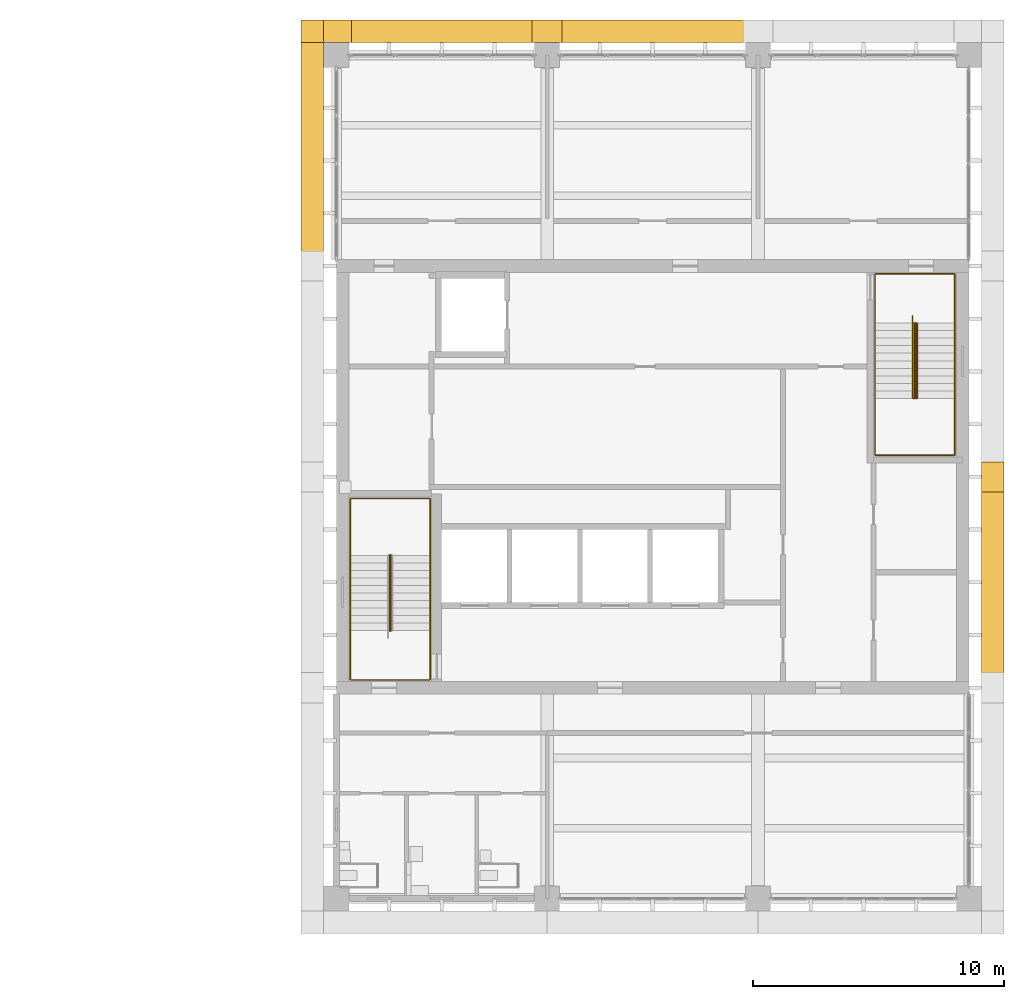
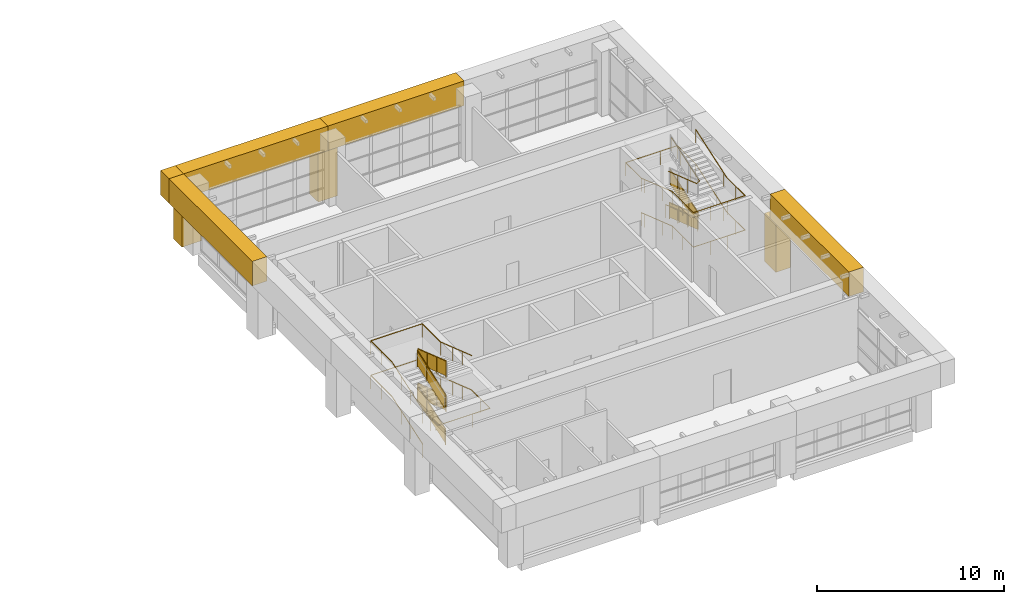
# One storey, part 52 of 56: 9 railings, 8 coverings.
"""IFC4 building model written with IfcOpenShell, lengths in metres."""

from ifc_helpers import new_model, si_unit, direction, frame, origin, origin_2d, place, context, subcontext, project, spatial, polyline, rectangle, circle, outline, extrude, material, type_object, element, save


model = new_model("IFC4")

# Units and contexts
model_context = context("Model", 3, precision=1e-05, world=origin(), true_north=direction((0.0, 1.0)))
body_context = subcontext(model_context, "Body", "Model", "MODEL_VIEW")
ifc_project = project(units=[si_unit("LENGTHUNIT", "METRE"), si_unit("AREAUNIT", "SQUARE_METRE"), si_unit("VOLUMEUNIT", "CUBIC_METRE"), si_unit("PLANEANGLEUNIT", "RADIAN"), si_unit("MASSUNIT", "GRAM", prefix="KILO")], contexts=[model_context])

# Site, building, storey
site_placement = place(None, origin())
site = spatial("IfcSite", under=ifc_project, at=site_placement, CompositionType="ELEMENT")
building_placement = place(site_placement, origin())
building = spatial("IfcBuilding", under=site, at=building_placement, Name="Rulbaag Community and Learning Centre", CompositionType="ELEMENT")
storey_placement = place(building_placement, frame((0.0, 0.0, 9.89990234375)))
storey = spatial("IfcBuildingStorey", under=building, at=storey_placement, Name="L02", CompositionType="ELEMENT", Elevation=9.89990234375)

# Coverings
ifc_material_1 = material(Name="Concrete M40", Category="concrete")
covering_type_1 = type_object("IfcCoveringType", Name="DB-1", PredefinedType="CLADDING", material=ifc_material_1)
covering_1_placement = place(storey_placement, frame((146.75, 118.550048828125, 2.900146484375), z_axis=(0.0, 0.0, 1.0), x_axis=(1.0, 0.0, 0.0)))
element("IfcCovering", 1, at=covering_1_placement, inside=storey, type_object=covering_type_1, Name="Datum band", PredefinedType="CLADDING", context=body_context, shape_type="SweptSolid", body=[
    extrude(rectangle(XDim=8.89990234375, YDim=0.89990234375, at=origin_2d()), origin(), (0.0, 0.0, 1.0), 1.60009765625),
])
covering_2_placement = place(storey_placement, frame((155.39990234375, 118.550048828125, 2.900146484375), z_axis=(0.0, 0.0, 1.0), x_axis=(1.0, 0.0, 0.0)))
element("IfcCovering", 2, at=covering_2_placement, inside=storey, type_object=covering_type_1, Name="Datum band", PredefinedType="CLADDING", context=body_context, shape_type="SweptSolid", body=[
    extrude(rectangle(XDim=8.39990234375, YDim=0.89990234375, at=origin_2d()), origin(), (0.0, 0.0, 1.0), 1.60009765625),
])
covering_3_placement = place(storey_placement, frame((141.85009765625, 113.64990234375, 2.900146484375), z_axis=(0.0, 0.0, 1.0), x_axis=(1.0, 0.0, 0.0)))
element("IfcCovering", 3, at=covering_3_placement, inside=storey, type_object=covering_type_1, Name="Datum band", PredefinedType="CLADDING", context=body_context, shape_type="SweptSolid", body=[
    extrude(rectangle(XDim=0.89990234375, YDim=8.89990234375, at=origin_2d()), origin(), (0.0, 0.0, 1.0), 1.60009765625),
])
covering_4_placement = place(storey_placement, frame((168.949951171875, 96.60009765625, 2.900146484375), z_axis=(0.0, 0.0, 1.0), x_axis=(1.0, 0.0, 0.0)))
element("IfcCovering", 4, at=covering_4_placement, inside=storey, type_object=covering_type_1, Name="Datum band", PredefinedType="CLADDING", context=body_context, shape_type="SweptSolid", body=[
    extrude(rectangle(XDim=0.89990234375, YDim=8.39990234375, at=origin_2d()), origin(), (0.0, 0.0, 1.0), 1.60009765625),
])
covering_5_placement = place(storey_placement, frame((141.85009765625, 118.550048828125, 2.900146484375), z_axis=(0.0, 0.0, 1.0), x_axis=(1.0, 0.0, 0.0)))
element("IfcCovering", 5, at=covering_5_placement, inside=storey, type_object=covering_type_1, Name="Datum band corner", PredefinedType="CLADDING", context=body_context, shape_type="SweptSolid", body=[
    extrude(rectangle(XDim=0.89990234375, YDim=0.89990234375, at=origin_2d()), origin(), (0.0, 0.0, 1.0), 1.60009765625),
])

# Railings
ifc_material_2 = material(Name="Galvanised mild steel", Category="steel")
railing_type_1 = type_object("IfcRailingType", Name="GR-1100 GUARD 1100", PredefinedType="GUARDRAIL", material=ifc_material_2)
railing_1_placement = place(storey_placement, frame((144.929931640625, 94.675048828125, 0.102294921875)))
element("IfcRailing", 6, at=railing_1_placement, inside=storey, type_object=railing_type_1, Name="Guard ST1 L02 G", PredefinedType="GUARDRAIL", context=body_context, shape_type="SweptSolid", body=[
    extrude(circle(Radius=0.02490234375, at=origin_2d()), frame((0.0, 0.0, 1.0751953125), z_axis=(0.0, 0.946512326817, 0.322667654381), x_axis=(-1.0, 0.0, 0.0)), (0.0, 0.0, 1.0), 3.16943359375),
    extrude(circle(Radius=0.02001953125, at=origin_2d()), origin(), (0.0, 0.0, 1.0), 1.050048828125),
    extrude(circle(Radius=0.02001953125, at=origin_2d()), frame((0.0, 1.0, 0.3408203125)), (0.0, 0.0, 1.0), 1.050048828125),
    extrude(circle(Radius=0.02001953125, at=origin_2d()), frame((0.0, 2.0, 0.681884765625)), (0.0, 0.0, 1.0), 1.050048828125),
    extrude(circle(Radius=0.02001953125, at=origin_2d()), frame((0.0, 3.0, 1.022705078125)), (0.0, 0.0, 1.0), 1.050048828125),
    extrude(outline(polyline([(0.0, 0.0), (3.0, 1.022705078125), (3.0, 1.97265625), (0.0, 0.949951171875), (0.0, 0.0)])), frame((-0.0048828125, 0.0, 0.10009765625), z_axis=(1.0, 0.0, 0.0), x_axis=(0.0, 1.0, 0.0)), (0.0, 0.0, 1.0), 0.010009765625),
])
railing_2_placement = place(storey_placement, frame((144.969970703125, 97.675048828125, 1.227294921875)))
element("IfcRailing", 7, at=railing_2_placement, inside=storey, type_object=railing_type_1, Name="Guard ST1 L02 G2", PredefinedType="GUARDRAIL", context=body_context, shape_type="SweptSolid", body=[
    extrude(circle(Radius=0.02490234375, at=origin_2d()), frame((0.0, 0.0, 1.0751953125), z_axis=(0.0, -0.946512326817, 0.322667654381), x_axis=(1.0, 0.0, 0.0)), (0.0, 0.0, 1.0), 3.16943359375),
    extrude(circle(Radius=0.02001953125, at=origin_2d()), origin(), (0.0, 0.0, 1.0), 1.050048828125),
    extrude(circle(Radius=0.02001953125, at=origin_2d()), frame((0.0, -1.0, 0.3408203125)), (0.0, 0.0, 1.0), 1.050048828125),
    extrude(circle(Radius=0.02001953125, at=origin_2d()), frame((0.0, -2.0, 0.681884765625)), (0.0, 0.0, 1.0), 1.050048828125),
    extrude(circle(Radius=0.02001953125, at=origin_2d()), frame((0.0, -3.0, 1.022705078125)), (0.0, 0.0, 1.0), 1.050048828125),
    extrude(outline(polyline([(0.0, 0.0), (3.0, 1.022705078125), (3.0, 1.97265625), (0.0, 0.949951171875), (0.0, 0.0)])), frame((0.0048828125, 0.0, 0.10009765625), z_axis=(-1.0, 0.0, 0.0), x_axis=(0.0, -1.0, 0.0)), (0.0, 0.0, 1.0), 0.010009765625),
])
railing_3_placement = place(storey_placement, frame((144.929931640625, 94.675048828125, 2.352294921875)))
element("IfcRailing", 8, at=railing_3_placement, inside=storey, type_object=railing_type_1, Name="Guard ST1 L02 G3", PredefinedType="GUARDRAIL", context=body_context, shape_type="SweptSolid", body=[
    extrude(circle(Radius=0.02490234375, at=origin_2d()), frame((0.0, 0.0, 1.0751953125), z_axis=(0.0, 0.946512326817, 0.322667654381), x_axis=(-1.0, 0.0, 0.0)), (0.0, 0.0, 1.0), 3.16943359375),
    extrude(circle(Radius=0.02001953125, at=origin_2d()), origin(), (0.0, 0.0, 1.0), 1.050048828125),
    extrude(circle(Radius=0.02001953125, at=origin_2d()), frame((0.0, 1.0, 0.3408203125)), (0.0, 0.0, 1.0), 1.050048828125),
    extrude(circle(Radius=0.02001953125, at=origin_2d()), frame((0.0, 2.0, 0.681884765625)), (0.0, 0.0, 1.0), 1.050048828125),
    extrude(circle(Radius=0.02001953125, at=origin_2d()), frame((0.0, 3.0, 1.022705078125)), (0.0, 0.0, 1.0), 1.050048828125),
    extrude(outline(polyline([(0.0, 0.0), (3.0, 1.022705078125), (3.0, 1.97265625), (0.0, 0.949951171875), (0.0, 0.0)])), frame((-0.0048828125, 0.0, 0.10009765625), z_axis=(1.0, 0.0, 0.0), x_axis=(0.0, 1.0, 0.0)), (0.0, 0.0, 1.0), 0.010009765625),
])
for number, where, name in (
    (9, (144.969970703125, 97.675048828125, 3.477294921875), "Guard ST1 L02 G4"),
    (10, (165.830078125, 106.925048828125, 0.102294921875), "Guard ST2 L02 G"),
):
    element("IfcRailing", number, at=place(storey_placement, frame(where)), inside=storey, type_object=railing_type_1, Name=name, PredefinedType="GUARDRAIL", context=body_context, shape_type="SweptSolid", body=[
        extrude(circle(Radius=0.02490234375, at=origin_2d()), frame((0.0, 0.0, 1.0751953125), z_axis=(0.0, -0.946512326817, 0.322667654381), x_axis=(1.0, 0.0, 0.0)), (0.0, 0.0, 1.0), 3.16943359375),
        extrude(circle(Radius=0.02001953125, at=origin_2d()), origin(), (0.0, 0.0, 1.0), 1.050048828125),
        extrude(circle(Radius=0.02001953125, at=origin_2d()), frame((0.0, -1.0, 0.3408203125)), (0.0, 0.0, 1.0), 1.050048828125),
        extrude(circle(Radius=0.02001953125, at=origin_2d()), frame((0.0, -2.0, 0.681884765625)), (0.0, 0.0, 1.0), 1.050048828125),
        extrude(circle(Radius=0.02001953125, at=origin_2d()), frame((0.0, -3.0, 1.022705078125)), (0.0, 0.0, 1.0), 1.050048828125),
        extrude(outline(polyline([(0.0, 0.0), (3.0, 1.022705078125), (3.0, 1.97265625), (0.0, 0.949951171875), (0.0, 0.0)])), frame((0.0048828125, 0.0, 0.10009765625), z_axis=(-1.0, 0.0, 0.0), x_axis=(0.0, -1.0, 0.0)), (0.0, 0.0, 1.0), 0.010009765625),
    ])
railing_4_placement = place(storey_placement, frame((165.8701171875, 103.925048828125, 1.227294921875)))
element("IfcRailing", 11, at=railing_4_placement, inside=storey, type_object=railing_type_1, Name="Guard ST2 L02 G2", PredefinedType="GUARDRAIL", context=body_context, shape_type="SweptSolid", body=[
    extrude(circle(Radius=0.02490234375, at=origin_2d()), frame((0.0, 0.0, 1.0751953125), z_axis=(0.0, 0.946512326817, 0.322667654381), x_axis=(-1.0, 0.0, 0.0)), (0.0, 0.0, 1.0), 3.16943359375),
    extrude(circle(Radius=0.02001953125, at=origin_2d()), origin(), (0.0, 0.0, 1.0), 1.050048828125),
    extrude(circle(Radius=0.02001953125, at=origin_2d()), frame((0.0, 1.0, 0.3408203125)), (0.0, 0.0, 1.0), 1.050048828125),
    extrude(circle(Radius=0.02001953125, at=origin_2d()), frame((0.0, 2.0, 0.681884765625)), (0.0, 0.0, 1.0), 1.050048828125),
    extrude(circle(Radius=0.02001953125, at=origin_2d()), frame((0.0, 3.0, 1.022705078125)), (0.0, 0.0, 1.0), 1.050048828125),
    extrude(outline(polyline([(0.0, 0.0), (3.0, 1.022705078125), (3.0, 1.97265625), (0.0, 0.949951171875), (0.0, 0.0)])), frame((-0.0048828125, 0.0, 0.10009765625), z_axis=(1.0, 0.0, 0.0), x_axis=(0.0, 1.0, 0.0)), (0.0, 0.0, 1.0), 0.010009765625),
])
ifc_material_3 = material(Name="Stainless steel grade 316", Category="steel")
railing_type_2 = type_object("IfcRailingType", Name="HR-900 HANDRAIL 900", PredefinedType="HANDRAIL", material=ifc_material_3)
railing_5_placement = place(storey_placement, frame((143.360107421875, 94.375, 0.0)))
element("IfcRailing", 12, at=railing_5_placement, inside=storey, type_object=railing_type_2, Name="Handrail ST1 L02 O", PredefinedType="HANDRAIL", context=body_context, shape_type="SweptSolid", body=[
    extrude(circle(Radius=0.024169921875, at=origin_2d()), frame((0.0, 0.0, 0.875732421875), z_axis=(0.0, 0.946504842313, 0.322689608567), x_axis=(-1.0, 0.0, 0.0)), (0.0, 0.0, 1.0), 0.31689453125),
    extrude(circle(Radius=0.024169921875, at=origin_2d()), frame((0.0, 0.300048828125, 0.97802734375), z_axis=(0.0, 0.946512326817, 0.322667654381), x_axis=(-1.0, 0.0, 0.0)), (0.0, 0.0, 1.0), 3.16943359375),
    extrude(circle(Radius=0.024169921875, at=origin_2d()), frame((0.0, 3.300048828125, 2.000732421875), z_axis=(0.0, 1.0, 0.0), x_axis=(-1.0, 0.0, 0.0)), (0.0, 0.0, 1.0), 2.264892578125),
    extrude(circle(Radius=0.024169921875, at=origin_2d()), frame((0.0, 5.56494140625, 2.000732421875), z_axis=(1.0, 0.0, 0.0), x_axis=(0.0, 1.0, 0.0)), (0.0, 0.0, 1.0), 3.179931640625),
    extrude(circle(Radius=0.024169921875, at=origin_2d()), frame((3.179931640625, 5.56494140625, 2.000732421875), z_axis=(0.0, -1.0, 0.0), x_axis=(1.0, 0.0, 0.0)), (0.0, 0.0, 1.0), 1.96484375),
    extrude(circle(Radius=0.024169921875, at=origin_2d()), frame((3.179931640625, 3.60009765625, 2.000732421875), z_axis=(0.0, -0.946504842313, 0.322689608567), x_axis=(1.0, 0.0, 0.0)), (0.0, 0.0, 1.0), 0.31689453125),
    extrude(circle(Radius=0.024169921875, at=origin_2d()), frame((3.179931640625, 3.300048828125, 2.10302734375), z_axis=(0.0, -0.946512326817, 0.322667654381), x_axis=(1.0, 0.0, 0.0)), (0.0, 0.0, 1.0), 3.16943359375),
    extrude(circle(Radius=0.024169921875, at=origin_2d()), frame((3.179931640625, 0.300048828125, 3.125732421875), z_axis=(0.0, -1.0, 0.0), x_axis=(1.0, 0.0, 0.0)), (0.0, 0.0, 1.0), 1.965087890625),
    extrude(circle(Radius=0.024169921875, at=origin_2d()), frame((3.179931640625, -1.6650390625, 3.125732421875), z_axis=(-1.0, 0.0, 0.0), x_axis=(0.0, -1.0, 0.0)), (0.0, 0.0, 1.0), 3.179931640625),
    extrude(circle(Radius=0.024169921875, at=origin_2d()), frame((0.0, -1.6650390625, 3.125732421875), z_axis=(0.0, 1.0, 0.0), x_axis=(-1.0, 0.0, 0.0)), (0.0, 0.0, 1.0), 1.6650390625),
    extrude(circle(Radius=0.024169921875, at=origin_2d()), frame((0.0, 0.0, 3.125732421875), z_axis=(0.0, 0.946504842313, 0.322689608567), x_axis=(-1.0, 0.0, 0.0)), (0.0, 0.0, 1.0), 0.31689453125),
    extrude(circle(Radius=0.024169921875, at=origin_2d()), frame((0.0, 0.300048828125, 3.22802734375), z_axis=(0.0, 0.946512326817, 0.322667654381), x_axis=(-1.0, 0.0, 0.0)), (0.0, 0.0, 1.0), 3.16943359375),
    extrude(circle(Radius=0.024169921875, at=origin_2d()), frame((0.0, 3.300048828125, 4.250732421875), z_axis=(0.0, 1.0, 0.0), x_axis=(-1.0, 0.0, 0.0)), (0.0, 0.0, 1.0), 2.264892578125),
    extrude(circle(Radius=0.024169921875, at=origin_2d()), frame((0.0, 5.56494140625, 4.250732421875), z_axis=(1.0, 0.0, 0.0), x_axis=(0.0, 1.0, 0.0)), (0.0, 0.0, 1.0), 3.179931640625),
    extrude(circle(Radius=0.024169921875, at=origin_2d()), frame((3.179931640625, 5.56494140625, 4.250732421875), z_axis=(0.0, -1.0, 0.0), x_axis=(1.0, 0.0, 0.0)), (0.0, 0.0, 1.0), 1.96484375),
    extrude(circle(Radius=0.024169921875, at=origin_2d()), frame((3.179931640625, 3.60009765625, 4.250732421875), z_axis=(0.0, -0.946504842313, 0.322689608567), x_axis=(1.0, 0.0, 0.0)), (0.0, 0.0, 1.0), 0.31689453125),
    extrude(circle(Radius=0.024169921875, at=origin_2d()), frame((3.179931640625, 3.300048828125, 4.35302734375), z_axis=(0.0, -0.946512326817, 0.322667654381), x_axis=(1.0, 0.0, 0.0)), (0.0, 0.0, 1.0), 3.16943359375),
    extrude(circle(Radius=0.008056640625, at=origin_2d()), origin(), (0.0, 0.0, 1.0), 0.8515625),
    extrude(circle(Radius=0.008056640625, at=origin_2d()), frame((0.0, 0.300048828125, 0.102294921875)), (0.0, 0.0, 1.0), 0.8515625),
    extrude(circle(Radius=0.008056640625, at=origin_2d()), frame((0.0, 1.300048828125, 0.443115234375)), (0.0, 0.0, 1.0), 0.8515625),
    extrude(circle(Radius=0.008056640625, at=origin_2d()), frame((0.0, 2.300048828125, 0.7841796875)), (0.0, 0.0, 1.0), 0.8515625),
    extrude(circle(Radius=0.008056640625, at=origin_2d()), frame((0.0, 3.300048828125, 1.125)), (0.0, 0.0, 1.0), 0.8515625),
    extrude(circle(Radius=0.008056640625, at=origin_2d()), frame((0.0, 4.4326171875, 1.125)), (0.0, 0.0, 1.0), 0.8515625),
    extrude(circle(Radius=0.008056640625, at=origin_2d()), frame((0.0, 5.56494140625, 1.125)), (0.0, 0.0, 1.0), 0.8515625),
    extrude(circle(Radius=0.008056640625, at=origin_2d()), frame((1.06005859375, 5.56494140625, 1.125)), (0.0, 0.0, 1.0), 0.8515625),
    extrude(circle(Radius=0.008056640625, at=origin_2d()), frame((2.119873046875, 5.56494140625, 1.125)), (0.0, 0.0, 1.0), 0.8515625),
    extrude(circle(Radius=0.008056640625, at=origin_2d()), frame((3.179931640625, 5.56494140625, 1.125)), (0.0, 0.0, 1.0), 0.8515625),
    extrude(circle(Radius=0.008056640625, at=origin_2d()), frame((3.179931640625, 4.58251953125, 1.125)), (0.0, 0.0, 1.0), 0.8515625),
    extrude(circle(Radius=0.008056640625, at=origin_2d()), frame((3.179931640625, 3.60009765625, 1.125)), (0.0, 0.0, 1.0), 0.8515625),
    extrude(circle(Radius=0.008056640625, at=origin_2d()), frame((3.179931640625, 3.300048828125, 1.227294921875)), (0.0, 0.0, 1.0), 0.8515625),
    extrude(circle(Radius=0.008056640625, at=origin_2d()), frame((3.179931640625, 2.300048828125, 1.568115234375)), (0.0, 0.0, 1.0), 0.8515625),
    extrude(circle(Radius=0.008056640625, at=origin_2d()), frame((3.179931640625, 1.300048828125, 1.9091796875)), (0.0, 0.0, 1.0), 0.8515625),
    extrude(circle(Radius=0.008056640625, at=origin_2d()), frame((3.179931640625, 0.300048828125, 2.25)), (0.0, 0.0, 1.0), 0.8515625),
    extrude(circle(Radius=0.008056640625, at=origin_2d()), frame((3.179931640625, -0.6826171875, 2.25)), (0.0, 0.0, 1.0), 0.8515625),
    extrude(circle(Radius=0.008056640625, at=origin_2d()), frame((3.179931640625, -1.6650390625, 2.25)), (0.0, 0.0, 1.0), 0.8515625),
    extrude(circle(Radius=0.008056640625, at=origin_2d()), frame((2.119873046875, -1.6650390625, 2.25)), (0.0, 0.0, 1.0), 0.8515625),
    extrude(circle(Radius=0.008056640625, at=origin_2d()), frame((1.06005859375, -1.6650390625, 2.25)), (0.0, 0.0, 1.0), 0.8515625),
    extrude(circle(Radius=0.008056640625, at=origin_2d()), frame((0.0, -1.6650390625, 2.25)), (0.0, 0.0, 1.0), 0.8515625),
    extrude(circle(Radius=0.008056640625, at=origin_2d()), frame((0.0, -0.83251953125, 2.25)), (0.0, 0.0, 1.0), 0.8515625),
    extrude(circle(Radius=0.008056640625, at=origin_2d()), frame((0.0, 0.0, 2.25)), (0.0, 0.0, 1.0), 0.8515625),
    extrude(circle(Radius=0.008056640625, at=origin_2d()), frame((0.0, 0.300048828125, 2.352294921875)), (0.0, 0.0, 1.0), 0.8515625),
    extrude(circle(Radius=0.008056640625, at=origin_2d()), frame((0.0, 1.300048828125, 2.693115234375)), (0.0, 0.0, 1.0), 0.8515625),
    extrude(circle(Radius=0.008056640625, at=origin_2d()), frame((0.0, 2.300048828125, 3.0341796875)), (0.0, 0.0, 1.0), 0.8515625),
    extrude(circle(Radius=0.008056640625, at=origin_2d()), frame((0.0, 3.300048828125, 3.375)), (0.0, 0.0, 1.0), 0.8515625),
    extrude(circle(Radius=0.008056640625, at=origin_2d()), frame((0.0, 4.4326171875, 3.375)), (0.0, 0.0, 1.0), 0.8515625),
    extrude(circle(Radius=0.008056640625, at=origin_2d()), frame((0.0, 5.56494140625, 3.375)), (0.0, 0.0, 1.0), 0.8515625),
    extrude(circle(Radius=0.008056640625, at=origin_2d()), frame((1.06005859375, 5.56494140625, 3.375)), (0.0, 0.0, 1.0), 0.8515625),
    extrude(circle(Radius=0.008056640625, at=origin_2d()), frame((2.119873046875, 5.56494140625, 3.375)), (0.0, 0.0, 1.0), 0.8515625),
    extrude(circle(Radius=0.008056640625, at=origin_2d()), frame((3.179931640625, 5.56494140625, 3.375)), (0.0, 0.0, 1.0), 0.8515625),
    extrude(circle(Radius=0.008056640625, at=origin_2d()), frame((3.179931640625, 4.58251953125, 3.375)), (0.0, 0.0, 1.0), 0.8515625),
    extrude(circle(Radius=0.008056640625, at=origin_2d()), frame((3.179931640625, 3.60009765625, 3.375)), (0.0, 0.0, 1.0), 0.8515625),
    extrude(circle(Radius=0.008056640625, at=origin_2d()), frame((3.179931640625, 3.300048828125, 3.477294921875)), (0.0, 0.0, 1.0), 0.8515625),
    extrude(circle(Radius=0.008056640625, at=origin_2d()), frame((3.179931640625, 2.300048828125, 3.818115234375)), (0.0, 0.0, 1.0), 0.8515625),
    extrude(circle(Radius=0.008056640625, at=origin_2d()), frame((3.179931640625, 1.300048828125, 4.1591796875)), (0.0, 0.0, 1.0), 0.8515625),
    extrude(circle(Radius=0.008056640625, at=origin_2d()), frame((3.179931640625, 0.300048828125, 4.5)), (0.0, 0.0, 1.0), 0.8515625),
])
railing_6_placement = place(storey_placement, frame((164.260009765625, 107.22509765625, 0.0)))
element("IfcRailing", 13, at=railing_6_placement, inside=storey, type_object=railing_type_2, Name="Handrail ST2 L02 O", PredefinedType="HANDRAIL", context=body_context, shape_type="SweptSolid", body=[
    extrude(circle(Radius=0.024169921875, at=origin_2d()), frame((0.0, 0.0, 0.875732421875), z_axis=(0.0, -0.946504842313, 0.322689608567), x_axis=(1.0, 0.0, 0.0)), (0.0, 0.0, 1.0), 0.31689453125),
    extrude(circle(Radius=0.024169921875, at=origin_2d()), frame((0.0, -0.300048828125, 0.97802734375), z_axis=(0.0, -0.946512326817, 0.322667654381), x_axis=(1.0, 0.0, 0.0)), (0.0, 0.0, 1.0), 3.16943359375),
    extrude(circle(Radius=0.024169921875, at=origin_2d()), frame((0.0, -3.300048828125, 2.000732421875), z_axis=(0.0, -1.0, 0.0), x_axis=(1.0, 0.0, 0.0)), (0.0, 0.0, 1.0), 2.26513671875),
    extrude(circle(Radius=0.024169921875, at=origin_2d()), frame((0.0, -5.565185546875, 2.000732421875), z_axis=(1.0, 0.0, 0.0), x_axis=(0.0, 1.0, 0.0)), (0.0, 0.0, 1.0), 3.179931640625),
    extrude(circle(Radius=0.024169921875, at=origin_2d()), frame((3.179931640625, -5.565185546875, 2.000732421875), z_axis=(0.0, 1.0, 0.0), x_axis=(-1.0, 0.0, 0.0)), (0.0, 0.0, 1.0), 1.965087890625),
    extrude(circle(Radius=0.024169921875, at=origin_2d()), frame((3.179931640625, -3.60009765625, 2.000732421875), z_axis=(0.0, 0.946504842313, 0.322689608567), x_axis=(-1.0, 0.0, 0.0)), (0.0, 0.0, 1.0), 0.31689453125),
    extrude(circle(Radius=0.024169921875, at=origin_2d()), frame((3.179931640625, -3.300048828125, 2.10302734375), z_axis=(0.0, 0.946512326817, 0.322667654381), x_axis=(-1.0, 0.0, 0.0)), (0.0, 0.0, 1.0), 3.16943359375),
    extrude(circle(Radius=0.024169921875, at=origin_2d()), frame((3.179931640625, -0.300048828125, 3.125732421875), z_axis=(0.0, 1.0, 0.0), x_axis=(-1.0, 0.0, 0.0)), (0.0, 0.0, 1.0), 1.96484375),
    extrude(circle(Radius=0.024169921875, at=origin_2d()), frame((3.179931640625, 1.664794921875, 3.125732421875), z_axis=(-1.0, 0.0, 0.0), x_axis=(0.0, -1.0, 0.0)), (0.0, 0.0, 1.0), 3.179931640625),
    extrude(circle(Radius=0.024169921875, at=origin_2d()), frame((0.0, 1.664794921875, 3.125732421875), z_axis=(0.0, -1.0, 0.0), x_axis=(1.0, 0.0, 0.0)), (0.0, 0.0, 1.0), 1.664794921875),
    extrude(circle(Radius=0.024169921875, at=origin_2d()), frame((0.0, 0.0, 3.125732421875), z_axis=(0.0, -0.946504842313, 0.322689608567), x_axis=(1.0, 0.0, 0.0)), (0.0, 0.0, 1.0), 0.31689453125),
    extrude(circle(Radius=0.024169921875, at=origin_2d()), frame((0.0, -0.300048828125, 3.22802734375), z_axis=(0.0, -0.946512326817, 0.322667654381), x_axis=(1.0, 0.0, 0.0)), (0.0, 0.0, 1.0), 3.16943359375),
    extrude(circle(Radius=0.024169921875, at=origin_2d()), frame((0.0, -3.300048828125, 4.250732421875), z_axis=(0.0, -1.0, 0.0), x_axis=(1.0, 0.0, 0.0)), (0.0, 0.0, 1.0), 2.26513671875),
    extrude(circle(Radius=0.024169921875, at=origin_2d()), frame((0.0, -5.565185546875, 4.250732421875), z_axis=(1.0, 0.0, 0.0), x_axis=(0.0, 1.0, 0.0)), (0.0, 0.0, 1.0), 3.179931640625),
    extrude(circle(Radius=0.024169921875, at=origin_2d()), frame((3.179931640625, -5.565185546875, 4.250732421875), z_axis=(0.0, 1.0, 0.0), x_axis=(-1.0, 0.0, 0.0)), (0.0, 0.0, 1.0), 1.965087890625),
    extrude(circle(Radius=0.024169921875, at=origin_2d()), frame((3.179931640625, -3.60009765625, 4.250732421875), z_axis=(0.0, 0.946504842313, 0.322689608567), x_axis=(-1.0, 0.0, 0.0)), (0.0, 0.0, 1.0), 0.31689453125),
    extrude(circle(Radius=0.024169921875, at=origin_2d()), frame((3.179931640625, -3.300048828125, 4.35302734375), z_axis=(0.0, 0.946512326817, 0.322667654381), x_axis=(-1.0, 0.0, 0.0)), (0.0, 0.0, 1.0), 3.16943359375),
    extrude(circle(Radius=0.008056640625, at=origin_2d()), origin(), (0.0, 0.0, 1.0), 0.8515625),
    extrude(circle(Radius=0.008056640625, at=origin_2d()), frame((0.0, -0.300048828125, 0.102294921875)), (0.0, 0.0, 1.0), 0.8515625),
    extrude(circle(Radius=0.008056640625, at=origin_2d()), frame((0.0, -1.300048828125, 0.443115234375)), (0.0, 0.0, 1.0), 0.8515625),
    extrude(circle(Radius=0.008056640625, at=origin_2d()), frame((0.0, -2.300048828125, 0.7841796875)), (0.0, 0.0, 1.0), 0.8515625),
    extrude(circle(Radius=0.008056640625, at=origin_2d()), frame((0.0, -3.300048828125, 1.125)), (0.0, 0.0, 1.0), 0.8515625),
    extrude(circle(Radius=0.008056640625, at=origin_2d()), frame((0.0, -4.4326171875, 1.125)), (0.0, 0.0, 1.0), 0.8515625),
    extrude(circle(Radius=0.008056640625, at=origin_2d()), frame((0.0, -5.565185546875, 1.125)), (0.0, 0.0, 1.0), 0.8515625),
    extrude(circle(Radius=0.008056640625, at=origin_2d()), frame((1.06005859375, -5.565185546875, 1.125)), (0.0, 0.0, 1.0), 0.8515625),
    extrude(circle(Radius=0.008056640625, at=origin_2d()), frame((2.119873046875, -5.565185546875, 1.125)), (0.0, 0.0, 1.0), 0.8515625),
    extrude(circle(Radius=0.008056640625, at=origin_2d()), frame((3.179931640625, -5.565185546875, 1.125)), (0.0, 0.0, 1.0), 0.8515625),
    extrude(circle(Radius=0.008056640625, at=origin_2d()), frame((3.179931640625, -4.58251953125, 1.125)), (0.0, 0.0, 1.0), 0.8515625),
    extrude(circle(Radius=0.008056640625, at=origin_2d()), frame((3.179931640625, -3.60009765625, 1.125)), (0.0, 0.0, 1.0), 0.8515625),
    extrude(circle(Radius=0.008056640625, at=origin_2d()), frame((3.179931640625, -3.300048828125, 1.227294921875)), (0.0, 0.0, 1.0), 0.8515625),
    extrude(circle(Radius=0.008056640625, at=origin_2d()), frame((3.179931640625, -2.300048828125, 1.568115234375)), (0.0, 0.0, 1.0), 0.8515625),
    extrude(circle(Radius=0.008056640625, at=origin_2d()), frame((3.179931640625, -1.300048828125, 1.9091796875)), (0.0, 0.0, 1.0), 0.8515625),
    extrude(circle(Radius=0.008056640625, at=origin_2d()), frame((3.179931640625, -0.300048828125, 2.25)), (0.0, 0.0, 1.0), 0.8515625),
    extrude(circle(Radius=0.008056640625, at=origin_2d()), frame((3.179931640625, 0.682373046875, 2.25)), (0.0, 0.0, 1.0), 0.8515625),
    extrude(circle(Radius=0.008056640625, at=origin_2d()), frame((3.179931640625, 1.664794921875, 2.25)), (0.0, 0.0, 1.0), 0.8515625),
    extrude(circle(Radius=0.008056640625, at=origin_2d()), frame((2.119873046875, 1.664794921875, 2.25)), (0.0, 0.0, 1.0), 0.8515625),
    extrude(circle(Radius=0.008056640625, at=origin_2d()), frame((1.06005859375, 1.664794921875, 2.25)), (0.0, 0.0, 1.0), 0.8515625),
    extrude(circle(Radius=0.008056640625, at=origin_2d()), frame((0.0, 1.664794921875, 2.25)), (0.0, 0.0, 1.0), 0.8515625),
    extrude(circle(Radius=0.008056640625, at=origin_2d()), frame((0.0, 0.83251953125, 2.25)), (0.0, 0.0, 1.0), 0.8515625),
    extrude(circle(Radius=0.008056640625, at=origin_2d()), frame((0.0, 0.0, 2.25)), (0.0, 0.0, 1.0), 0.8515625),
    extrude(circle(Radius=0.008056640625, at=origin_2d()), frame((0.0, -0.300048828125, 2.352294921875)), (0.0, 0.0, 1.0), 0.8515625),
    extrude(circle(Radius=0.008056640625, at=origin_2d()), frame((0.0, -1.300048828125, 2.693115234375)), (0.0, 0.0, 1.0), 0.8515625),
    extrude(circle(Radius=0.008056640625, at=origin_2d()), frame((0.0, -2.300048828125, 3.0341796875)), (0.0, 0.0, 1.0), 0.8515625),
    extrude(circle(Radius=0.008056640625, at=origin_2d()), frame((0.0, -3.300048828125, 3.375)), (0.0, 0.0, 1.0), 0.8515625),
    extrude(circle(Radius=0.008056640625, at=origin_2d()), frame((0.0, -4.4326171875, 3.375)), (0.0, 0.0, 1.0), 0.8515625),
    extrude(circle(Radius=0.008056640625, at=origin_2d()), frame((0.0, -5.565185546875, 3.375)), (0.0, 0.0, 1.0), 0.8515625),
    extrude(circle(Radius=0.008056640625, at=origin_2d()), frame((1.06005859375, -5.565185546875, 3.375)), (0.0, 0.0, 1.0), 0.8515625),
    extrude(circle(Radius=0.008056640625, at=origin_2d()), frame((2.119873046875, -5.565185546875, 3.375)), (0.0, 0.0, 1.0), 0.8515625),
    extrude(circle(Radius=0.008056640625, at=origin_2d()), frame((3.179931640625, -5.565185546875, 3.375)), (0.0, 0.0, 1.0), 0.8515625),
    extrude(circle(Radius=0.008056640625, at=origin_2d()), frame((3.179931640625, -4.58251953125, 3.375)), (0.0, 0.0, 1.0), 0.8515625),
    extrude(circle(Radius=0.008056640625, at=origin_2d()), frame((3.179931640625, -3.60009765625, 3.375)), (0.0, 0.0, 1.0), 0.8515625),
    extrude(circle(Radius=0.008056640625, at=origin_2d()), frame((3.179931640625, -3.300048828125, 3.477294921875)), (0.0, 0.0, 1.0), 0.8515625),
    extrude(circle(Radius=0.008056640625, at=origin_2d()), frame((3.179931640625, -2.300048828125, 3.818115234375)), (0.0, 0.0, 1.0), 0.8515625),
    extrude(circle(Radius=0.008056640625, at=origin_2d()), frame((3.179931640625, -1.300048828125, 4.1591796875)), (0.0, 0.0, 1.0), 0.8515625),
    extrude(circle(Radius=0.008056640625, at=origin_2d()), frame((3.179931640625, -0.300048828125, 4.5)), (0.0, 0.0, 1.0), 0.8515625),
])
railing_7_placement = place(storey_placement, frame((165.760009765625, 107.22509765625, 0.0)))
element("IfcRailing", 14, at=railing_7_placement, inside=storey, type_object=railing_type_2, Name="Handrail ST2 L02 I", PredefinedType="HANDRAIL", context=body_context, shape_type="SweptSolid", body=[
    extrude(circle(Radius=0.024169921875, at=origin_2d()), frame((0.0, 0.0, 0.875732421875), z_axis=(0.0, -0.946504842313, 0.322689608567), x_axis=(1.0, 0.0, 0.0)), (0.0, 0.0, 1.0), 0.31689453125),
    extrude(circle(Radius=0.024169921875, at=origin_2d()), frame((0.0, -0.300048828125, 0.97802734375), z_axis=(0.0, -0.946512326817, 0.322667654381), x_axis=(1.0, 0.0, 0.0)), (0.0, 0.0, 1.0), 3.16943359375),
    extrude(circle(Radius=0.024169921875, at=origin_2d()), frame((0.0, -3.300048828125, 2.000732421875), z_axis=(0.869329868598, 0.0, 0.494232313355), x_axis=(0.0, 1.0, 0.0)), (0.0, 0.0, 1.0), 0.20703125),
    extrude(circle(Radius=0.024169921875, at=origin_2d()), frame((0.179931640625, -3.300048828125, 2.10302734375), z_axis=(0.0, 0.946512326817, 0.322667654381), x_axis=(-1.0, 0.0, 0.0)), (0.0, 0.0, 1.0), 3.16943359375),
    extrude(circle(Radius=0.024169921875, at=origin_2d()), frame((0.179931640625, -0.300048828125, 3.125732421875), z_axis=(-0.869329868598, 0.0, 0.494232313355), x_axis=(0.0, -1.0, 0.0)), (0.0, 0.0, 1.0), 0.20703125),
    extrude(circle(Radius=0.024169921875, at=origin_2d()), frame((0.0, -0.300048828125, 3.22802734375), z_axis=(0.0, -0.946512326817, 0.322667654381), x_axis=(1.0, 0.0, 0.0)), (0.0, 0.0, 1.0), 3.16943359375),
    extrude(circle(Radius=0.024169921875, at=origin_2d()), frame((0.0, -3.300048828125, 4.250732421875), z_axis=(0.869329868598, 0.0, 0.494232313355), x_axis=(0.0, 1.0, 0.0)), (0.0, 0.0, 1.0), 0.20703125),
    extrude(circle(Radius=0.024169921875, at=origin_2d()), frame((0.179931640625, -3.300048828125, 4.35302734375), z_axis=(0.0, 0.946512326817, 0.322667654381), x_axis=(-1.0, 0.0, 0.0)), (0.0, 0.0, 1.0), 3.16943359375),
    extrude(circle(Radius=0.008056640625, at=origin_2d()), origin(), (0.0, 0.0, 1.0), 0.8515625),
    extrude(circle(Radius=0.008056640625, at=origin_2d()), frame((0.0, -0.300048828125, 0.102294921875)), (0.0, 0.0, 1.0), 0.8515625),
    extrude(circle(Radius=0.008056640625, at=origin_2d()), frame((0.0, -1.300048828125, 0.443115234375)), (0.0, 0.0, 1.0), 0.8515625),
    extrude(circle(Radius=0.008056640625, at=origin_2d()), frame((0.0, -2.300048828125, 0.7841796875)), (0.0, 0.0, 1.0), 0.8515625),
    extrude(circle(Radius=0.008056640625, at=origin_2d()), frame((0.0, -3.300048828125, 1.125)), (0.0, 0.0, 1.0), 0.8515625),
    extrude(circle(Radius=0.008056640625, at=origin_2d()), frame((0.179931640625, -3.300048828125, 1.227294921875)), (0.0, 0.0, 1.0), 0.8515625),
    extrude(circle(Radius=0.008056640625, at=origin_2d()), frame((0.179931640625, -2.300048828125, 1.568115234375)), (0.0, 0.0, 1.0), 0.8515625),
    extrude(circle(Radius=0.008056640625, at=origin_2d()), frame((0.179931640625, -1.300048828125, 1.9091796875)), (0.0, 0.0, 1.0), 0.8515625),
    extrude(circle(Radius=0.008056640625, at=origin_2d()), frame((0.179931640625, -0.300048828125, 2.25)), (0.0, 0.0, 1.0), 0.8515625),
    extrude(circle(Radius=0.008056640625, at=origin_2d()), frame((0.0, -0.300048828125, 2.352294921875)), (0.0, 0.0, 1.0), 0.8515625),
    extrude(circle(Radius=0.008056640625, at=origin_2d()), frame((0.0, -1.300048828125, 2.693115234375)), (0.0, 0.0, 1.0), 0.8515625),
    extrude(circle(Radius=0.008056640625, at=origin_2d()), frame((0.0, -2.300048828125, 3.0341796875)), (0.0, 0.0, 1.0), 0.8515625),
    extrude(circle(Radius=0.008056640625, at=origin_2d()), frame((0.0, -3.300048828125, 3.375)), (0.0, 0.0, 1.0), 0.8515625),
    extrude(circle(Radius=0.008056640625, at=origin_2d()), frame((0.179931640625, -3.300048828125, 3.477294921875)), (0.0, 0.0, 1.0), 0.8515625),
    extrude(circle(Radius=0.008056640625, at=origin_2d()), frame((0.179931640625, -2.300048828125, 3.818115234375)), (0.0, 0.0, 1.0), 0.8515625),
    extrude(circle(Radius=0.008056640625, at=origin_2d()), frame((0.179931640625, -1.300048828125, 4.1591796875)), (0.0, 0.0, 1.0), 0.8515625),
    extrude(circle(Radius=0.008056640625, at=origin_2d()), frame((0.179931640625, -0.300048828125, 4.5)), (0.0, 0.0, 1.0), 0.8515625),
])

# Coverings
covering_type_2 = type_object("IfcCoveringType", Name="PR-1", PredefinedType="CLADDING", material=ifc_material_1)
for number, where, z_axis, x_axis, name in (
    (15, (142.800048828125, 118.550048828125, -0.249755859375), (0.0, 0.0, 1.0), (1.0, 0.0, 0.0), "Base pier"),
    (16, (151.199951171875, 118.550048828125, -0.249755859375), (0.0, 0.0, 1.0), (1.0, 0.0, 0.0), "Base pier"),
):
    element("IfcCovering", number, at=place(storey_placement, frame(where, z_axis=z_axis, x_axis=x_axis)), inside=storey, type_object=covering_type_2, Name=name, PredefinedType="CLADDING", context=body_context, shape_type="SweptSolid", body=[
        extrude(rectangle(XDim=1.199951171875, YDim=0.89990234375, at=origin_2d()), origin(), (0.0, 0.0, 1.0), 3.14990234375),
    ])
covering_6_placement = place(storey_placement, frame((168.949951171875, 100.800048828125, -0.249755859375), z_axis=(0.0, 0.0, 1.0), x_axis=(1.0, 0.0, 0.0)))
element("IfcCovering", 17, at=covering_6_placement, inside=storey, type_object=covering_type_2, Name="Base pier", PredefinedType="CLADDING", context=body_context, shape_type="SweptSolid", body=[
    extrude(rectangle(XDim=0.89990234375, YDim=1.199951171875, at=origin_2d()), origin(), (0.0, 0.0, 1.0), 3.14990234375),
])

save(model, "model.ifc")
